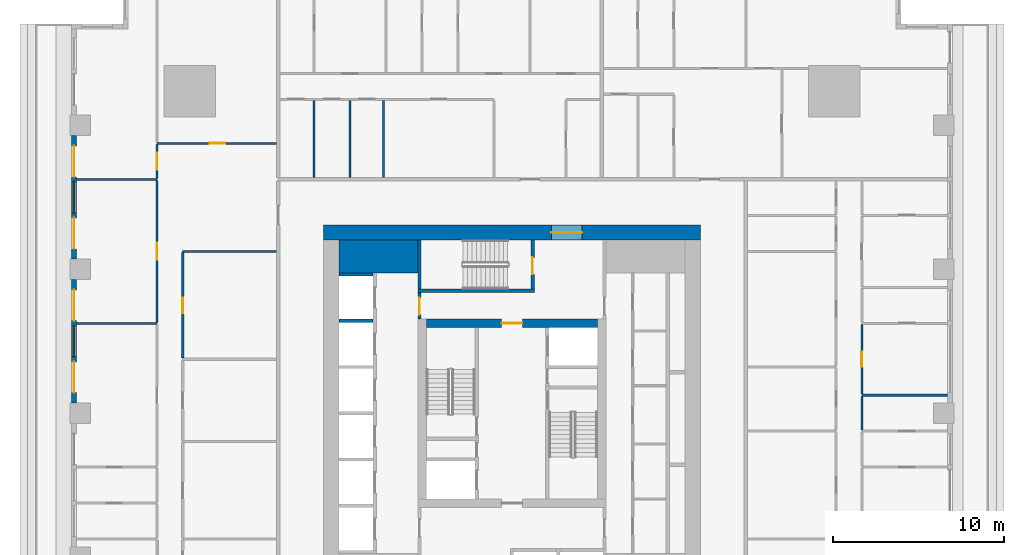
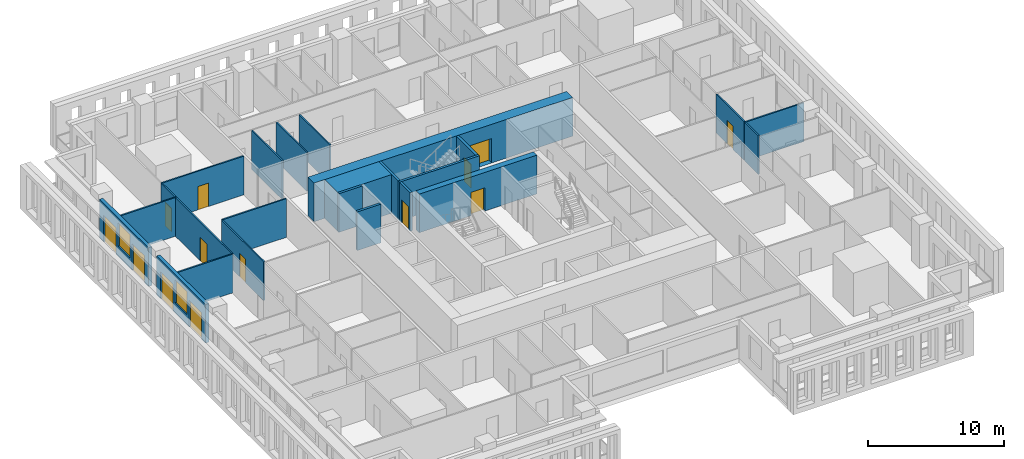
# One storey, part 6 of 15: 24 walls, 13 doors, 2 windows, 15 openings.
"""IFC4 building model written with IfcOpenShell, lengths in metres."""

import ifcopenshell
import ifcopenshell.guid

model = None  # the IFC model being written
_history = None  # IfcOwnerHistory: only IFC2X3 demands one
_inside = {}  # id of a spatial element -> (the spatial element, [elements in it])
_under = {}  # id of a project, library or spatial element -> (it, [spatial elements below it])
_declared = {}  # id of a project -> (the project, [libraries it declares])
_typed = {}  # id of a type object -> (the type object, [elements of that type])
_made_of = {}  # id of a material, layer set ... -> (it, [elements and type objects made of it])


def new_model(schema):
    """Start an empty IFC model of exactly this schema.

    Asked for "IFC4X3", IfcOpenShell would pick the latest addendum, in which some entities
    have other attributes; the version numbers below select the first issue.
    IFC2X3 requires an IfcOwnerHistory on every rooted entity: one is made here for all.
    """
    global model, _history
    if schema == "IFC4X3":
        model = ifcopenshell.file(schema_version=(4, 3, 0, 0))
    else:
        model = ifcopenshell.file(schema=schema)
    _inside.clear()
    _under.clear()
    _declared.clear()
    _typed.clear()
    _made_of.clear()
    _history = None
    if model.schema == "IFC2X3":
        org = make("IfcOrganization", Name="unknown")
        user = make(
            "IfcPersonAndOrganization",
            ThePerson=make("IfcPerson", FamilyName="unknown"),
            TheOrganization=org,
        )
        app = make(
            "IfcApplication",
            ApplicationDeveloper=org,
            Version="unknown",
            ApplicationFullName="unknown",
            ApplicationIdentifier="unknown",
        )
        _history = make(
            "IfcOwnerHistory",
            OwningUser=user,
            OwningApplication=app,
            ChangeAction="ADDED",
            CreationDate=0,
        )
    return model


def make(cls, **values):
    """One entity of the class cls with the attributes given. An attribute that is None is left unset."""
    return model.create_entity(
        cls, **{name: value for name, value in values.items() if value is not None}
    )


def rooted(cls, **values):
    """An entity with a GlobalId (a new one), such as an element, a storey or a relation."""
    return make(cls, GlobalId=ifcopenshell.guid.new(), OwnerHistory=_history, **values)


def si_unit(unit_type, name, prefix=None):
    """IfcSIUnit, for example si_unit("LENGTHUNIT", "METRE", prefix="MILLI")."""
    return make("IfcSIUnit", UnitType=unit_type, Prefix=prefix, Name=name)


def assignment(units):
    """IfcUnitAssignment: the units of a project."""
    return None if units is None else make("IfcUnitAssignment", Units=units)


def point(xyz):
    """IfcCartesianPoint."""
    return None if xyz is None else make("IfcCartesianPoint", Coordinates=xyz)


def direction(xyz):
    """IfcDirection."""
    return None if xyz is None else make("IfcDirection", DirectionRatios=xyz)


def frame(location, z_axis=None, x_axis=None):
    """IfcAxis2Placement3D, a coordinate frame: its origin and axes. An axis left out is left unset."""
    return make(
        "IfcAxis2Placement3D",
        Location=point(location),
        Axis=direction(z_axis),
        RefDirection=direction(x_axis),
    )


def frame_2d(location, x_axis=None):
    """IfcAxis2Placement2D, a coordinate frame in the plane: its origin and x axis."""
    return make(
        "IfcAxis2Placement2D", Location=point(location), RefDirection=direction(x_axis)
    )


def origin():
    """The frame at (0, 0, 0) with its axes left unset."""
    return frame((0.0, 0.0, 0.0))


def place(relative_to, where):
    """IfcLocalPlacement: puts the frame where relative to a parent placement (None: the world)."""
    return make(
        "IfcLocalPlacement", PlacementRelTo=relative_to, RelativePlacement=where
    )


def context(
    kind, dimensions, precision=None, world=None, true_north=None, identifier=None
):
    """IfcGeometricRepresentationContext, for example the 3D "Model" context."""
    return make(
        "IfcGeometricRepresentationContext",
        ContextIdentifier=identifier,
        ContextType=kind,
        CoordinateSpaceDimension=dimensions,
        Precision=precision,
        WorldCoordinateSystem=world,
        TrueNorth=true_north,
    )


def subcontext(parent, identifier, kind, view, scale=None):
    """IfcGeometricRepresentationSubContext, for example "Body" below "Model"."""
    return make(
        "IfcGeometricRepresentationSubContext",
        ContextIdentifier=identifier,
        ContextType=kind,
        ParentContext=parent,
        TargetScale=scale,
        TargetView=view,
    )


def project(units=None, contexts=None):
    """IfcProject with its units and contexts."""
    return rooted(
        "IfcProject",
        Name="project",
        RepresentationContexts=contexts,
        UnitsInContext=assignment(units),
    )


def spatial(cls, under=None, at=None, **own):
    """A site, building, storey or space (cls), placed at a placement, below another one or the project."""
    s = rooted(cls, ObjectPlacement=at, **own)
    if under is not None:
        _under.setdefault(under.id(), (under, []))[1].append(s)
    return s


def profile(cls, at=None, kind="AREA", **sizes):
    """A parametric profile (cls). Its sizes go by their IFC names, for example OverallWidth=200.0."""
    return make(cls, ProfileType=kind, Position=at, **sizes)


def rectangle(**sizes):
    """IfcRectangleProfileDef."""
    return profile("IfcRectangleProfileDef", **sizes)


def extrude(swept, where, along, depth):
    """IfcExtrudedAreaSolid: the profile swept, set in the frame where, extruded along a direction by depth."""
    return make(
        "IfcExtrudedAreaSolid",
        SweptArea=swept,
        Position=where,
        ExtrudedDirection=direction(along),
        Depth=depth,
    )


def shape(context_of_items, identifier, shape_type, items):
    """IfcShapeRepresentation: the items that make up one representation, for example the "Body"."""
    return make(
        "IfcShapeRepresentation",
        ContextOfItems=context_of_items,
        RepresentationIdentifier=identifier,
        RepresentationType=shape_type,
        Items=items,
    )


def material(Name=None, Category=None):
    """IfcMaterial."""
    return make("IfcMaterial", Name=Name, Category=Category)


def layer(
    of_material, thickness, ventilated=None, Name=None, Category=None, Priority=None
):
    """IfcMaterialLayer: one layer of a wall or slab, of a material (None: an air gap)."""
    return make(
        "IfcMaterialLayer",
        Material=of_material,
        LayerThickness=thickness,
        IsVentilated=ventilated,
        Name=Name,
        Category=Category,
        Priority=Priority,
    )


def layer_set(layers, Name=None):
    """IfcMaterialLayerSet."""
    return make("IfcMaterialLayerSet", MaterialLayers=layers, LayerSetName=Name)


def made_of(thing, what):
    """Note that an element or type object is made of a material, layer set ...; save() writes the relation."""
    if what is not None:
        _made_of.setdefault(what.id(), (what, []))[1].append(thing)
    return thing


def type_object(cls, material=None, **own):
    """A type object (cls), such as IfcWallType, which elements share."""
    return made_of(rooted(cls, **own), material)


def element(
    cls,
    number,
    at=None,
    inside=None,
    cuts=None,
    type_object=None,
    material=None,
    context=None,
    identifier="Body",
    shape_type=None,
    held_by="IfcProductDefinitionShape",
    body=None,
    shapes=None,
    **own,
):
    """One element of the class cls, such as IfcWall. Its Tag is "e" and its number.

    at: its placement. inside: the storey or other place that contains it. cuts: it is an
    opening in that element (IfcRelVoidsElement). A single representation is given by context,
    identifier, shape_type and body (its items); several are given by shapes. held_by: the class
    of the entity that holds the representations. save() writes the other relations.
    """
    e = rooted(cls, Tag="e%d" % number, ObjectPlacement=at, **own)
    if body is not None:
        shapes = [shape(context, identifier, shape_type, body)]
    if shapes is not None:
        e.Representation = make(held_by, Representations=shapes)
    if inside is not None:
        _inside.setdefault(inside.id(), (inside, []))[1].append(e)
    if cuts is not None:
        rooted(
            "IfcRelVoidsElement", RelatingBuildingElement=cuts, RelatedOpeningElement=e
        )
    if type_object is not None:
        _typed.setdefault(type_object.id(), (type_object, []))[1].append(e)
    return made_of(e, material)


def fill(opening, filler):
    """IfcRelFillsElement: the door or window that sits in an opening."""
    return rooted(
        "IfcRelFillsElement",
        RelatingOpeningElement=opening,
        RelatedBuildingElement=filler,
    )


def aggregate(whole, parts):
    """IfcRelAggregates: a whole, such as a stair, and the parts it consists of."""
    return rooted("IfcRelAggregates", RelatingObject=whole, RelatedObjects=parts)


def save(model, path):
    """Write the relations noted so far, then the file.

    IfcRelAggregates (storeys below a building ...), IfcRelContainedInSpatialStructure (elements
    in a storey), IfcRelDefinesByType, IfcRelAssociatesMaterial and IfcRelDeclares: one each for
    every whole, place, type object, material and project.
    """
    for whole, parts in _under.values():
        aggregate(whole, parts)
    for where, things in _inside.values():
        rooted(
            "IfcRelContainedInSpatialStructure",
            RelatedElements=things,
            RelatingStructure=where,
        )
    for kind, things in _typed.values():
        rooted("IfcRelDefinesByType", RelatedObjects=things, RelatingType=kind)
    for what, things in _made_of.values():
        rooted("IfcRelAssociatesMaterial", RelatedObjects=things, RelatingMaterial=what)
    for by, libraries in _declared.values():
        rooted("IfcRelDeclares", RelatingContext=by, RelatedDefinitions=libraries)
    model.write(path)


model = new_model("IFC4")

# Units and contexts
model_context = context("Model", 3, precision=1e-05, world=origin(), true_north=direction((0.0, 1.0)))
body_context = subcontext(model_context, "Body", "Model", "MODEL_VIEW")
ifc_project = project(units=[si_unit("LENGTHUNIT", "METRE"), si_unit("AREAUNIT", "SQUARE_METRE"), si_unit("VOLUMEUNIT", "CUBIC_METRE"), si_unit("PLANEANGLEUNIT", "RADIAN"), si_unit("MASSUNIT", "GRAM", prefix="KILO")], contexts=[model_context])

# Site, building, storey
site_placement = place(None, origin())
site = spatial("IfcSite", under=ifc_project, at=site_placement, CompositionType="ELEMENT")
building_placement = place(site_placement, origin())
building = spatial("IfcBuilding", under=site, at=building_placement, Name="Khepri Terraces", CompositionType="ELEMENT")
storey_placement = place(building_placement, frame((0.0, 0.0, 46.5)))
storey = spatial("IfcBuildingStorey", under=building, at=storey_placement, Name="L10", CompositionType="ELEMENT", Elevation=46.5)

# Walls
ifc_material_1 = material(Name="Concrete C80/95", Category="concrete")
ifc_layer_1 = layer(ifc_material_1, 1.89990234375, Name="Concrete C80/95", Category="concrete")
ifc_layer_set_1 = layer_set([ifc_layer_1], Name="Concrete C80/95")
wall_type_1 = type_object("IfcWallType", Name="Core wall 1900 C80/95", PredefinedType="SHEAR", material=ifc_layer_set_1)
wall_1_placement = place(storey_placement, frame((-10.10009765625, 9.14990234375, 0.0), z_axis=(0.0, 0.0, 1.0), x_axis=(1.0, 0.0, 0.0)))
element("IfcWall", 1, at=wall_1_placement, inside=storey, type_object=wall_type_1, Name="Core wall PR03 L10", PredefinedType="SHEAR", context=body_context, shape_type="SweptSolid", body=[
    extrude(rectangle(XDim=4.60009765625, YDim=1.89990234375, at=frame_2d((2.300048828125, 0.0))), origin(), (0.0, 0.0, 1.0), 3.47998046875),
])
ifc_layer_2 = layer(ifc_material_1, 0.199951171875, Name="Concrete C80/95", Category="concrete")
ifc_layer_set_2 = layer_set([ifc_layer_2], Name="Concrete C80/95")
wall_type_2 = type_object("IfcWallType", Name="Core wall 200 C80/95", PredefinedType="SHEAR", material=ifc_layer_set_2)
wall_2_placement = place(storey_placement, frame((-5.5, 7.14990234375, 0.0), z_axis=(0.0, 0.0, 1.0), x_axis=(1.0, 0.0, 0.0)))
element("IfcWall", 2, at=wall_2_placement, inside=storey, type_object=wall_type_2, Name="Core wall ST05 L10", PredefinedType="SHEAR", context=body_context, shape_type="SweptSolid", body=[
    extrude(rectangle(XDim=6.800048828125, YDim=0.199951171875, at=frame_2d((3.39990234375, 0.0))), origin(), (0.0, 0.0, 1.0), 3.47998046875),
])
wall_3_placement = place(storey_placement, frame((-5.39990234375, 7.25, 0.0), z_axis=(0.0, 0.0, 1.0), x_axis=(0.0, 1.0, 0.0)))
element("IfcWall", 3, at=wall_3_placement, inside=storey, type_object=wall_type_2, Name="Core wall ST06 L10", PredefinedType="SHEAR", context=body_context, shape_type="SweptSolid", body=[
    extrude(rectangle(XDim=2.85009765625, YDim=0.199951171875, at=frame_2d((1.425048828125, 0.0))), origin(), (0.0, 0.0, 1.0), 3.47998046875),
])

# Wall, opening, door
wall_4_placement = place(storey_placement, frame((1.199951171875, 7.25, 0.0), z_axis=(0.0, 0.0, 1.0), x_axis=(0.0, 1.0, 0.0)))
wall_4 = element("IfcWall", 4, at=wall_4_placement, inside=storey, type_object=wall_type_2, Name="Core wall ST07 L10", PredefinedType="SHEAR", context=body_context, shape_type="SweptSolid", body=[
    extrude(rectangle(XDim=2.85009765625, YDim=0.199951171875, at=frame_2d((1.425048828125, 0.0))), origin(), (0.0, 0.0, 1.0), 3.47998046875),
])
opening_1_placement = place(wall_4_placement, frame((0.85009765625, 0.0, 0.0)))
opening_1 = element("IfcOpeningElement", 5, at=opening_1_placement, cuts=wall_4, Name="Opening L10-C15", PredefinedType="OPENING", context=body_context, shape_type="SweptSolid", body=[
    extrude(rectangle(XDim=1.0, YDim=2.10009765625, at=frame_2d((0.5, 1.050048828125))), frame((0.0, 0.10986328125, 0.0), z_axis=(0.0, -1.0, 0.0), x_axis=(1.0, 0.0, 0.0)), (0.0, 0.0, 1.0), 0.219970703125),
])
ifc_material_2 = material(Name="Painted steel", Category="steel")
door_type_1 = type_object("IfcDoorType", Name="DR-CORE-STAIR-1000", OperationType="NOTDEFINED", PredefinedType="DOOR", material=ifc_material_2)
door_1_placement = place(opening_1_placement, origin())
door_1 = element("IfcDoor", 6, at=door_1_placement, inside=storey, type_object=door_type_1, Name="Stair door L10-C15", OperationType="SINGLE_SWING_LEFT", OverallHeight=2.10009765625, OverallWidth=1.0, PredefinedType="DOOR", context=body_context, shape_type="SweptSolid", body=[
    extrude(rectangle(XDim=1.0, YDim=2.10009765625, at=frame_2d((0.5, 1.050048828125))), frame((0.0, 0.02490234375, 0.0), z_axis=(0.0, -1.0, 0.0), x_axis=(1.0, 0.0, 0.0)), (0.0, 0.0, 1.0), 0.050048828125),
])
fill(opening_1, door_1)

# Walls
for number, where, z_axis, x_axis, name in (
    (7, (-10.10009765625, 5.39990234375, 0.0), (0.0, 0.0, 1.0), (1.0, 0.0, 0.0), "Core wall SH19 L10"),
    (8, (-10.10009765625, 8.10009765625, 0.0), (0.0, 0.0, 1.0), (1.0, 0.0, 0.0), "Core wall SH20 L10"),
):
    element("IfcWall", number, at=place(storey_placement, frame(where, z_axis=z_axis, x_axis=x_axis)), inside=storey, type_object=wall_type_2, Name=name, PredefinedType="SHEAR", context=body_context, shape_type="SweptSolid", body=[
        extrude(rectangle(XDim=2.0, YDim=0.199951171875, at=frame_2d((1.0, 0.0))), origin(), (0.0, 0.0, 1.0), 3.47998046875),
    ])

# Wall, opening, door
ifc_layer_3 = layer(ifc_material_1, 0.5, Name="Concrete C80/95", Category="concrete")
ifc_layer_set_3 = layer_set([ifc_layer_3], Name="Concrete C80/95")
wall_type_3 = type_object("IfcWallType", Name="Core wall 500 C80/95", PredefinedType="SHEAR", material=ifc_layer_set_3)
wall_5_placement = place(storey_placement, frame((-5.0, 5.25, 0.0), z_axis=(0.0, 0.0, 1.0), x_axis=(1.0, 0.0, 0.0)))
wall_5 = element("IfcWall", 9, at=wall_5_placement, inside=storey, type_object=wall_type_3, Name="Core wall BX04 L10", PredefinedType="SHEAR", context=body_context, shape_type="SweptSolid", body=[
    extrude(rectangle(XDim=10.0, YDim=0.5, at=frame_2d((5.0, 0.0))), origin(), (0.0, 0.0, 1.0), 3.47998046875),
])
opening_2_placement = place(wall_5_placement, frame((4.39990234375, 0.0, 0.0)))
opening_2 = element("IfcOpeningElement", 10, at=opening_2_placement, cuts=wall_5, Name="Opening L10-C13", PredefinedType="OPENING", context=body_context, shape_type="SweptSolid", body=[
    extrude(rectangle(XDim=1.199951171875, YDim=2.10009765625, at=frame_2d((0.60009765625, 1.050048828125))), frame((0.0, 0.260009765625, 0.0), z_axis=(0.0, -1.0, 0.0), x_axis=(1.0, 0.0, 0.0)), (0.0, 0.0, 1.0), 0.52001953125),
])
door_type_2 = type_object("IfcDoorType", Name="DR-CORE-FF-LOBBY-1200", OperationType="NOTDEFINED", PredefinedType="DOOR", material=ifc_material_2)
door_2_placement = place(opening_2_placement, frame((1.199951171875, 0.0, 0.0), z_axis=(0.0, 0.0, 1.0), x_axis=(-1.0, 0.0, 0.0)))
door_2 = element("IfcDoor", 11, at=door_2_placement, inside=storey, type_object=door_type_2, Name="Firefighting lobby door L10-C13", OperationType="SINGLE_SWING_LEFT", OverallHeight=2.10009765625, OverallWidth=1.199951171875, PredefinedType="DOOR", context=body_context, shape_type="SweptSolid", body=[
    extrude(rectangle(XDim=1.199951171875, YDim=2.10009765625, at=frame_2d((0.60009765625, 1.050048828125))), frame((0.0, 0.02490234375, 0.0), z_axis=(0.0, -1.0, 0.0), x_axis=(1.0, 0.0, 0.0)), (0.0, 0.0, 1.0), 0.050048828125),
])
fill(opening_2, door_2)

ifc_layer_4 = layer(ifc_material_1, 0.89990234375, Name="Concrete C80/95", Category="concrete")
ifc_layer_set_4 = layer_set([ifc_layer_4], Name="Concrete C80/95")
wall_type_4 = type_object("IfcWallType", Name="Core wall 900 C80/95", PredefinedType="SHEAR", material=ifc_layer_set_4)
wall_6_placement = place(storey_placement, frame((-11.0, 10.550048828125, 0.0), z_axis=(0.0, 0.0, 1.0), x_axis=(1.0, 0.0, 0.0)))
wall_6 = element("IfcWall", 12, at=wall_6_placement, inside=storey, type_object=wall_type_4, Name="Core wall OW-N L10", PredefinedType="SHEAR", context=body_context, shape_type="SweptSolid", body=[
    extrude(rectangle(XDim=22.0, YDim=0.89990234375, at=frame_2d((11.0, 0.0))), origin(), (0.0, 0.0, 1.0), 3.47998046875),
])
opening_3_placement = place(wall_6_placement, frame((13.300048828125, 0.0, 0.0)))
opening_3 = element("IfcOpeningElement", 13, at=opening_3_placement, cuts=wall_6, Name="Opening L10-C20", PredefinedType="OPENING", context=body_context, shape_type="SweptSolid", body=[
    extrude(rectangle(XDim=1.800048828125, YDim=2.199951171875, at=frame_2d((0.89990234375, 1.10009765625))), frame((0.0, 0.4599609375, 0.0), z_axis=(0.0, -1.0, 0.0), x_axis=(1.0, 0.0, 0.0)), (0.0, 0.0, 1.0), 0.919921875),
])
door_type_3 = type_object("IfcDoorType", Name="DR-CORE-ENTRANCE-1800", OperationType="NOTDEFINED", PredefinedType="DOOR", material=ifc_material_2)
door_3_placement = place(opening_3_placement, origin())
door_3 = element("IfcDoor", 14, at=door_3_placement, inside=storey, type_object=door_type_3, Name="Core entrance door pair L10-C20", OperationType="DOUBLE_DOOR_SINGLE_SWING", OverallHeight=2.199951171875, OverallWidth=1.800048828125, PredefinedType="DOOR", context=body_context, shape_type="SweptSolid", body=[
    extrude(rectangle(XDim=1.800048828125, YDim=2.199951171875, at=frame_2d((0.89990234375, 1.10009765625))), frame((0.0, 0.02490234375, 0.0), z_axis=(0.0, -1.0, 0.0), x_axis=(1.0, 0.0, 0.0)), (0.0, 0.0, 1.0), 0.050048828125),
])
fill(opening_3, door_3)

ifc_material_3 = material(Name="Fire-rated gypsum board partition")
ifc_layer_5 = layer(ifc_material_3, 0.199951171875, Name="Fire-rated gypsum board partition")
ifc_layer_set_5 = layer_set([ifc_layer_5], Name="Fire-rated gypsum board partition")
wall_type_5 = type_object("IfcWallType", Name="WL-CORE-PART-200", PredefinedType="PARTITIONING", material=ifc_layer_set_5)
wall_7_placement = place(storey_placement, frame((-5.39990234375, 5.5, 0.0), z_axis=(0.0, 0.0, 1.0), x_axis=(0.0, 1.0, 0.0)))
wall_7 = element("IfcWall", 15, at=wall_7_placement, inside=storey, type_object=wall_type_5, Name="Core partition PT08 L10", PredefinedType="PARTITIONING", context=body_context, shape_type="SweptSolid", body=[
    extrude(rectangle(XDim=1.550048828125, YDim=0.199951171875, at=frame_2d((0.77490234375, 0.0))), origin(), (0.0, 0.0, 1.0), 3.47998046875),
])
opening_4_placement = place(wall_7_placement, frame((0.25, 0.0, 0.0)))
opening_4 = element("IfcOpeningElement", 16, at=opening_4_placement, cuts=wall_7, Name="Opening L10-C16", PredefinedType="OPENING", context=body_context, shape_type="SweptSolid", body=[
    extrude(rectangle(XDim=1.0, YDim=2.10009765625, at=frame_2d((0.5, 1.050048828125))), frame((0.0, 0.10986328125, 0.0), z_axis=(0.0, -1.0, 0.0), x_axis=(1.0, 0.0, 0.0)), (0.0, 0.0, 1.0), 0.219970703125),
])
door_type_4 = type_object("IfcDoorType", Name="DR-CORE-LOBBY-1000", OperationType="NOTDEFINED", PredefinedType="DOOR", material=ifc_material_2)
door_4_placement = place(opening_4_placement, frame((1.0, 0.0, 0.0), z_axis=(0.0, 0.0, 1.0), x_axis=(-1.0, 0.0, 0.0)))
door_4 = element("IfcDoor", 17, at=door_4_placement, inside=storey, type_object=door_type_4, Name="Lobby door L10-C16", OperationType="SINGLE_SWING_RIGHT", OverallHeight=2.10009765625, OverallWidth=1.0, PredefinedType="DOOR", context=body_context, shape_type="SweptSolid", body=[
    extrude(rectangle(XDim=1.0, YDim=2.10009765625, at=frame_2d((0.5, 1.050048828125))), frame((0.0, 0.02490234375, 0.0), z_axis=(0.0, -1.0, 0.0), x_axis=(1.0, 0.0, 0.0)), (0.0, 0.0, 1.0), 0.050048828125),
])
fill(opening_4, door_4)

# Wall, openings, doors, window
ifc_material_4 = material(Name="Precast concrete C50/60 warm stone", Category="masonry")
ifc_layer_6 = layer(ifc_material_4, 0.300048828125, Name="Precast concrete C50/60 warm stone", Category="masonry")
ifc_layer_set_6 = layer_set([ifc_layer_6], Name="Precast concrete C50/60 warm stone")
wall_type_6 = type_object("IfcWallType", Name="WL-EXT-PRECAST-300", PredefinedType="STANDARD", material=ifc_layer_set_6)
wall_8_placement = place(storey_placement, frame((-25.570068359375, 16.199951171875, 0.0), z_axis=(0.0, 0.0, 1.0), x_axis=(0.0, -1.0, 0.0)))
wall_8 = element("IfcWall", 18, at=wall_8_placement, inside=storey, type_object=wall_type_6, Name="External wall L10 W", PredefinedType="STANDARD", context=body_context, shape_type="SweptSolid", body=[
    extrude(rectangle(XDim=7.199951171875, YDim=0.300048828125, at=frame_2d((3.60009765625, 0.0))), origin(), (0.0, 0.0, 1.0), 3.47998046875),
])
opening_5_placement = place(wall_8_placement, frame((0.60009765625, 0.0, 0.0)))
opening_5 = element("IfcOpeningElement", 19, at=opening_5_placement, cuts=wall_8, Name="Opening ED-L10-13", PredefinedType="OPENING", context=body_context, shape_type="SweptSolid", body=[
    extrude(rectangle(XDim=1.800048828125, YDim=2.39990234375, at=frame_2d((0.89990234375, 1.199951171875))), frame((0.0, 0.16015625, 0.0), z_axis=(0.0, -1.0, 0.0), x_axis=(1.0, 0.0, 0.0)), (0.0, 0.0, 1.0), 0.320068359375),
])
opening_6_placement = place(wall_8_placement, frame((2.699951171875, 0.0, 0.89990234375)))
opening_6 = element("IfcOpeningElement", 20, at=opening_6_placement, cuts=wall_8, Name="Opening W1", PredefinedType="OPENING", context=body_context, shape_type="SweptSolid", body=[
    extrude(rectangle(XDim=1.800048828125, YDim=2.10009765625, at=frame_2d((0.89990234375, 1.050048828125))), frame((0.0, 0.16015625, 0.0), z_axis=(0.0, -1.0, 0.0), x_axis=(1.0, 0.0, 0.0)), (0.0, 0.0, 1.0), 0.320068359375),
])
opening_7_placement = place(wall_8_placement, frame((4.800048828125, 0.0, 0.0)))
opening_7 = element("IfcOpeningElement", 21, at=opening_7_placement, cuts=wall_8, Name="Opening ED-L10-14", PredefinedType="OPENING", context=body_context, shape_type="SweptSolid", body=[
    extrude(rectangle(XDim=1.800048828125, YDim=2.39990234375, at=frame_2d((0.89990234375, 1.199951171875))), frame((0.0, 0.16015625, 0.0), z_axis=(0.0, -1.0, 0.0), x_axis=(1.0, 0.0, 0.0)), (0.0, 0.0, 1.0), 0.320068359375),
])
ifc_material_5 = material(Name="Anodised aluminium bronze glazed door", Category="aluminium")
door_type_5 = type_object("IfcDoorType", Name="DR-BAL-SLIDE-1800x2400", OperationType="NOTDEFINED", PredefinedType="DOOR", material=ifc_material_5)
door_5_placement = place(opening_5_placement, origin())
door_5 = element("IfcDoor", 22, at=door_5_placement, inside=storey, type_object=door_type_5, Name="Balcony door L10 W", OperationType="SLIDING_TO_LEFT", OverallHeight=2.39990234375, OverallWidth=1.800048828125, PredefinedType="DOOR", context=body_context, shape_type="SweptSolid", body=[
    extrude(rectangle(XDim=1.800048828125, YDim=2.39990234375, at=frame_2d((0.89990234375, 1.199951171875))), frame((0.0, 0.02490234375, 0.0), z_axis=(0.0, -1.0, 0.0), x_axis=(1.0, 0.0, 0.0)), (0.0, 0.0, 1.0), 0.050048828125),
])
fill(opening_5, door_5)
door_6_placement = place(opening_7_placement, origin())
door_6 = element("IfcDoor", 23, at=door_6_placement, inside=storey, type_object=door_type_5, Name="Balcony door L10 W", OperationType="SLIDING_TO_RIGHT", OverallHeight=2.39990234375, OverallWidth=1.800048828125, PredefinedType="DOOR", context=body_context, shape_type="SweptSolid", body=[
    extrude(rectangle(XDim=1.800048828125, YDim=2.39990234375, at=frame_2d((0.89990234375, 1.199951171875))), frame((0.0, 0.02490234375, 0.0), z_axis=(0.0, -1.0, 0.0), x_axis=(1.0, 0.0, 0.0)), (0.0, 0.0, 1.0), 0.050048828125),
])
fill(opening_7, door_6)
ifc_material_6 = material(Name="Clear glass", Category="glass")
window_type = type_object("IfcWindowType", Name="WIN-RES-1800x2100", PartitioningType="SINGLE_PANEL", PredefinedType="WINDOW", material=ifc_material_6)
window_1_placement = place(opening_6_placement, origin())
window_1 = element("IfcWindow", 24, at=window_1_placement, inside=storey, type_object=window_type, Name="Window L10 W", OverallHeight=2.10009765625, OverallWidth=1.800048828125, PartitioningType="SINGLE_PANEL", PredefinedType="WINDOW", context=body_context, shape_type="SweptSolid", body=[
    extrude(rectangle(XDim=1.800048828125, YDim=2.10009765625, at=frame_2d((0.89990234375, 1.050048828125))), frame((0.0, 0.030029296875, 0.0), z_axis=(0.0, -1.0, 0.0), x_axis=(1.0, 0.0, 0.0)), (0.0, 0.0, 1.0), 0.06005859375),
])
fill(opening_6, window_1)

wall_9_placement = place(storey_placement, frame((-25.570068359375, 7.800048828125, 0.0), z_axis=(0.0, 0.0, 1.0), x_axis=(0.0, -1.0, 0.0)))
wall_9 = element("IfcWall", 25, at=wall_9_placement, inside=storey, type_object=wall_type_6, Name="External wall L10 W", PredefinedType="STANDARD", context=body_context, shape_type="SweptSolid", body=[
    extrude(rectangle(XDim=7.199951171875, YDim=0.300048828125, at=frame_2d((3.60009765625, 0.0))), origin(), (0.0, 0.0, 1.0), 3.47998046875),
])
opening_8_placement = place(wall_9_placement, frame((0.60009765625, 0.0, 0.0)))
opening_8 = element("IfcOpeningElement", 26, at=opening_8_placement, cuts=wall_9, Name="Opening ED-L10-15", PredefinedType="OPENING", context=body_context, shape_type="SweptSolid", body=[
    extrude(rectangle(XDim=1.800048828125, YDim=2.39990234375, at=frame_2d((0.89990234375, 1.199951171875))), frame((0.0, 0.16015625, 0.0), z_axis=(0.0, -1.0, 0.0), x_axis=(1.0, 0.0, 0.0)), (0.0, 0.0, 1.0), 0.320068359375),
])
opening_9_placement = place(wall_9_placement, frame((2.699951171875, 0.0, 0.89990234375)))
opening_9 = element("IfcOpeningElement", 27, at=opening_9_placement, cuts=wall_9, Name="Opening W1", PredefinedType="OPENING", context=body_context, shape_type="SweptSolid", body=[
    extrude(rectangle(XDim=1.800048828125, YDim=2.10009765625, at=frame_2d((0.89990234375, 1.050048828125))), frame((0.0, 0.16015625, 0.0), z_axis=(0.0, -1.0, 0.0), x_axis=(1.0, 0.0, 0.0)), (0.0, 0.0, 1.0), 0.320068359375),
])
opening_10_placement = place(wall_9_placement, frame((4.800048828125, 0.0, 0.0)))
opening_10 = element("IfcOpeningElement", 28, at=opening_10_placement, cuts=wall_9, Name="Opening ED-L10-16", PredefinedType="OPENING", context=body_context, shape_type="SweptSolid", body=[
    extrude(rectangle(XDim=1.800048828125, YDim=2.39990234375, at=frame_2d((0.89990234375, 1.199951171875))), frame((0.0, 0.16015625, 0.0), z_axis=(0.0, -1.0, 0.0), x_axis=(1.0, 0.0, 0.0)), (0.0, 0.0, 1.0), 0.320068359375),
])
door_7_placement = place(opening_8_placement, origin())
door_7 = element("IfcDoor", 29, at=door_7_placement, inside=storey, type_object=door_type_5, Name="Balcony door L10 W", OperationType="SLIDING_TO_LEFT", OverallHeight=2.39990234375, OverallWidth=1.800048828125, PredefinedType="DOOR", context=body_context, shape_type="SweptSolid", body=[
    extrude(rectangle(XDim=1.800048828125, YDim=2.39990234375, at=frame_2d((0.89990234375, 1.199951171875))), frame((0.0, 0.02490234375, 0.0), z_axis=(0.0, -1.0, 0.0), x_axis=(1.0, 0.0, 0.0)), (0.0, 0.0, 1.0), 0.050048828125),
])
fill(opening_8, door_7)
door_8_placement = place(opening_10_placement, origin())
door_8 = element("IfcDoor", 30, at=door_8_placement, inside=storey, type_object=door_type_5, Name="Balcony door L10 W", OperationType="SLIDING_TO_RIGHT", OverallHeight=2.39990234375, OverallWidth=1.800048828125, PredefinedType="DOOR", context=body_context, shape_type="SweptSolid", body=[
    extrude(rectangle(XDim=1.800048828125, YDim=2.39990234375, at=frame_2d((0.89990234375, 1.199951171875))), frame((0.0, 0.02490234375, 0.0), z_axis=(0.0, -1.0, 0.0), x_axis=(1.0, 0.0, 0.0)), (0.0, 0.0, 1.0), 0.050048828125),
])
fill(opening_10, door_8)
window_2_placement = place(opening_9_placement, origin())
window_2 = element("IfcWindow", 31, at=window_2_placement, inside=storey, type_object=window_type, Name="Window L10 W", OverallHeight=2.10009765625, OverallWidth=1.800048828125, PartitioningType="SINGLE_PANEL", PredefinedType="WINDOW", context=body_context, shape_type="SweptSolid", body=[
    extrude(rectangle(XDim=1.800048828125, YDim=2.10009765625, at=frame_2d((0.89990234375, 1.050048828125))), frame((0.0, 0.030029296875, 0.0), z_axis=(0.0, -1.0, 0.0), x_axis=(1.0, 0.0, 0.0)), (0.0, 0.0, 1.0), 0.06005859375),
])
fill(opening_9, window_2)

# Walls
ifc_material_7 = material(Name="Gypsum plasterboard partition")
ifc_layer_7 = layer(ifc_material_7, 0.1201171875, Name="Gypsum plasterboard partition")
ifc_layer_set_7 = layer_set([ifc_layer_7], Name="Gypsum plasterboard partition")
wall_type_7 = type_object("IfcWallType", Name="WL-PART-120", PredefinedType="PARTITIONING", material=ifc_layer_set_7)
wall_10_placement = place(storey_placement, frame((20.419921875, -0.989990234375, 0.0), z_axis=(0.0, 0.0, 1.0), x_axis=(0.0, 1.0, 0.0)))
element("IfcWall", 32, at=wall_10_placement, inside=storey, type_object=wall_type_7, Name="Partition P-048 L10", PredefinedType="PARTITIONING", context=body_context, shape_type="SweptSolid", body=[
    extrude(rectangle(XDim=1.97998046875, YDim=0.1201171875, at=frame_2d((0.989990234375, 0.0))), origin(), (0.0, 0.0, 1.0), 3.47998046875),
])
wall_11_placement = place(storey_placement, frame((20.419921875, 1.050048828125, 0.0), z_axis=(0.0, 0.0, 1.0), x_axis=(1.0, 0.0, 0.0)))
element("IfcWall", 33, at=wall_11_placement, inside=storey, type_object=wall_type_7, Name="Partition P-049 L10", PredefinedType="PARTITIONING", context=body_context, shape_type="SweptSolid", body=[
    extrude(rectangle(XDim=5.0, YDim=0.1201171875, at=frame_2d((2.5, 0.0))), origin(), (0.0, 0.0, 1.0), 3.47998046875),
])

# Wall, opening, door
wall_12_placement = place(storey_placement, frame((20.419921875, 1.110107421875, 0.0), z_axis=(0.0, 0.0, 1.0), x_axis=(0.0, 1.0, 0.0)))
wall_12 = element("IfcWall", 34, at=wall_12_placement, inside=storey, type_object=wall_type_7, Name="Partition P-050 L10", PredefinedType="PARTITIONING", context=body_context, shape_type="SweptSolid", body=[
    extrude(rectangle(XDim=4.079833984375, YDim=0.1201171875, at=frame_2d((2.0400390625, 0.0))), origin(), (0.0, 0.0, 1.0), 3.47998046875),
])
opening_11_placement = place(wall_12_placement, frame((1.590087890625, 0.0, 0.0)))
opening_11 = element("IfcOpeningElement", 35, at=opening_11_placement, cuts=wall_12, Name="Opening D3", PredefinedType="OPENING", context=body_context, shape_type="SweptSolid", body=[
    extrude(rectangle(XDim=0.89990234375, YDim=2.10009765625, at=frame_2d((0.449951171875, 1.050048828125))), frame((0.0, 0.070068359375, 0.0), z_axis=(0.0, -1.0, 0.0), x_axis=(1.0, 0.0, 0.0)), (0.0, 0.0, 1.0), 0.14013671875),
])
ifc_material_8 = material(Name="Timber door leaf", Category="wood")
door_type_6 = type_object("IfcDoorType", Name="DR-INT-900", OperationType="NOTDEFINED", PredefinedType="DOOR", material=ifc_material_8)
door_9_placement = place(opening_11_placement, frame((0.89990234375, 0.0, 0.0), z_axis=(0.0, 0.0, 1.0), x_axis=(-1.0, 0.0, 0.0)))
door_9 = element("IfcDoor", 36, at=door_9_placement, inside=storey, type_object=door_type_6, Name="Door Bedroom", OperationType="SINGLE_SWING_LEFT", OverallHeight=2.10009765625, OverallWidth=0.89990234375, PredefinedType="DOOR", context=body_context, shape_type="SweptSolid", body=[
    extrude(rectangle(XDim=0.89990234375, YDim=2.10009765625, at=frame_2d((0.449951171875, 1.050048828125))), frame((0.0, 0.02490234375, 0.0), z_axis=(0.0, -1.0, 0.0), x_axis=(1.0, 0.0, 0.0)), (0.0, 0.0, 1.0), 0.050048828125),
])
fill(opening_11, door_9)

wall_13_placement = place(storey_placement, frame((-19.219970703125, 3.2099609375, 0.0), z_axis=(0.0, 0.0, 1.0), x_axis=(0.0, 1.0, 0.0)))
wall_13 = element("IfcWall", 37, at=wall_13_placement, inside=storey, type_object=wall_type_7, Name="Partition P-054 L10", PredefinedType="PARTITIONING", context=body_context, shape_type="SweptSolid", body=[
    extrude(rectangle(XDim=6.179931640625, YDim=0.1201171875, at=frame_2d((3.08984375, 0.0))), origin(), (0.0, 0.0, 1.0), 3.47998046875),
])
opening_12_placement = place(wall_13_placement, frame((2.639892578125, 0.0, 0.0)))
opening_12 = element("IfcOpeningElement", 38, at=opening_12_placement, cuts=wall_13, Name="Opening D3", PredefinedType="OPENING", context=body_context, shape_type="SweptSolid", body=[
    extrude(rectangle(XDim=0.89990234375, YDim=2.10009765625, at=frame_2d((0.449951171875, 1.050048828125))), frame((0.0, 0.070068359375, 0.0), z_axis=(0.0, -1.0, 0.0), x_axis=(1.0, 0.0, 0.0)), (0.0, 0.0, 1.0), 0.14013671875),
])
door_10_placement = place(opening_12_placement, frame((0.89990234375, 0.0, 0.0), z_axis=(0.0, 0.0, 1.0), x_axis=(-1.0, 0.0, 0.0)))
door_10 = element("IfcDoor", 39, at=door_10_placement, inside=storey, type_object=door_type_6, Name="Door Kitchen", OperationType="SINGLE_SWING_RIGHT", OverallHeight=2.10009765625, OverallWidth=0.89990234375, PredefinedType="DOOR", context=body_context, shape_type="SweptSolid", body=[
    extrude(rectangle(XDim=0.89990234375, YDim=2.10009765625, at=frame_2d((0.449951171875, 1.050048828125))), frame((0.0, 0.02490234375, 0.0), z_axis=(0.0, -1.0, 0.0), x_axis=(1.0, 0.0, 0.0)), (0.0, 0.0, 1.0), 0.050048828125),
])
fill(opening_12, door_10)

# Wall
wall_14_placement = place(storey_placement, frame((-25.419921875, 5.25, 0.0), z_axis=(0.0, 0.0, 1.0), x_axis=(1.0, 0.0, 0.0)))
element("IfcWall", 40, at=wall_14_placement, inside=storey, type_object=wall_type_7, Name="Partition P-055 L10", PredefinedType="PARTITIONING", context=body_context, shape_type="SweptSolid", body=[
    extrude(rectangle(XDim=4.699951171875, YDim=0.1201171875, at=frame_2d((2.35009765625, 0.0))), origin(), (0.0, 0.0, 1.0), 3.47998046875),
])

# Wall, opening, door
wall_15_placement = place(storey_placement, frame((-20.719970703125, 5.31005859375, 0.0), z_axis=(0.0, 0.0, 1.0), x_axis=(0.0, 1.0, 0.0)))
wall_15 = element("IfcWall", 41, at=wall_15_placement, inside=storey, type_object=wall_type_7, Name="Partition P-057 L10", PredefinedType="PARTITIONING", context=body_context, shape_type="SweptSolid", body=[
    extrude(rectangle(XDim=8.280029296875, YDim=0.1201171875, at=frame_2d((4.14013671875, 0.0))), origin(), (0.0, 0.0, 1.0), 3.47998046875),
])
opening_13_placement = place(wall_15_placement, frame((3.639892578125, 0.0, 0.0)))
opening_13 = element("IfcOpeningElement", 42, at=opening_13_placement, cuts=wall_15, Name="Opening D2", PredefinedType="OPENING", context=body_context, shape_type="SweptSolid", body=[
    extrude(rectangle(XDim=1.0, YDim=2.10009765625, at=frame_2d((0.5, 1.050048828125))), frame((0.0, 0.070068359375, 0.0), z_axis=(0.0, -1.0, 0.0), x_axis=(1.0, 0.0, 0.0)), (0.0, 0.0, 1.0), 0.14013671875),
])
ifc_material_9 = material(Name="Timber door leaf, living room door", Category="wood")
door_type_7 = type_object("IfcDoorType", Name="DR-INT-1000", OperationType="NOTDEFINED", PredefinedType="DOOR", material=ifc_material_9)
door_11_placement = place(opening_13_placement, origin())
door_11 = element("IfcDoor", 43, at=door_11_placement, inside=storey, type_object=door_type_7, Name="Door Family Room", OperationType="SINGLE_SWING_LEFT", OverallHeight=2.10009765625, OverallWidth=1.0, PredefinedType="DOOR", context=body_context, shape_type="SweptSolid", body=[
    extrude(rectangle(XDim=1.0, YDim=2.10009765625, at=frame_2d((0.5, 1.050048828125))), frame((0.0, 0.02490234375, 0.0), z_axis=(0.0, -1.0, 0.0), x_axis=(1.0, 0.0, 0.0)), (0.0, 0.0, 1.0), 0.050048828125),
])
fill(opening_13, door_11)

# Walls
wall_16_placement = place(storey_placement, frame((-19.219970703125, 9.449951171875, 0.0), z_axis=(0.0, 0.0, 1.0), x_axis=(1.0, 0.0, 0.0)))
element("IfcWall", 44, at=wall_16_placement, inside=storey, type_object=wall_type_7, Name="Partition P-061 L10", PredefinedType="PARTITIONING", context=body_context, shape_type="SweptSolid", body=[
    extrude(rectangle(XDim=5.469970703125, YDim=0.1201171875, at=frame_2d((2.73486328125, 0.0))), origin(), (0.0, 0.0, 1.0), 3.47998046875),
])
wall_17_placement = place(storey_placement, frame((-25.419921875, 13.64990234375, 0.0), z_axis=(0.0, 0.0, 1.0), x_axis=(1.0, 0.0, 0.0)))
element("IfcWall", 45, at=wall_17_placement, inside=storey, type_object=wall_type_7, Name="Partition P-068 L10", PredefinedType="PARTITIONING", context=body_context, shape_type="SweptSolid", body=[
    extrude(rectangle(XDim=4.699951171875, YDim=0.1201171875, at=frame_2d((2.35009765625, 0.0))), origin(), (0.0, 0.0, 1.0), 3.47998046875),
])

# Wall, opening, door
wall_18_placement = place(storey_placement, frame((-20.719970703125, 13.7099609375, 0.0), z_axis=(0.0, 0.0, 1.0), x_axis=(0.0, 1.0, 0.0)))
wall_18 = element("IfcWall", 46, at=wall_18_placement, inside=storey, type_object=wall_type_7, Name="Partition P-070 L10", PredefinedType="PARTITIONING", context=body_context, shape_type="SweptSolid", body=[
    extrude(rectangle(XDim=1.97998046875, YDim=0.1201171875, at=frame_2d((0.989990234375, 0.0))), origin(), (0.0, 0.0, 1.0), 3.47998046875),
])
opening_14_placement = place(wall_18_placement, frame((0.489990234375, 0.0, 0.0)))
opening_14 = element("IfcOpeningElement", 47, at=opening_14_placement, cuts=wall_18, Name="Opening D2", PredefinedType="OPENING", context=body_context, shape_type="SweptSolid", body=[
    extrude(rectangle(XDim=1.0, YDim=2.10009765625, at=frame_2d((0.5, 1.050048828125))), frame((0.0, 0.070068359375, 0.0), z_axis=(0.0, -1.0, 0.0), x_axis=(1.0, 0.0, 0.0)), (0.0, 0.0, 1.0), 0.14013671875),
])
door_12_placement = place(opening_14_placement, origin())
door_12 = element("IfcDoor", 48, at=door_12_placement, inside=storey, type_object=door_type_7, Name="Door Living Room", OperationType="SINGLE_SWING_LEFT", OverallHeight=2.10009765625, OverallWidth=1.0, PredefinedType="DOOR", context=body_context, shape_type="SweptSolid", body=[
    extrude(rectangle(XDim=1.0, YDim=2.10009765625, at=frame_2d((0.5, 1.050048828125))), frame((0.0, 0.02490234375, 0.0), z_axis=(0.0, -1.0, 0.0), x_axis=(1.0, 0.0, 0.0)), (0.0, 0.0, 1.0), 0.050048828125),
])
fill(opening_14, door_12)

# Walls
for number, where, z_axis, x_axis, name in (
    (49, (-11.550048828125, 13.75, 0.0), (0.0, 0.0, 1.0), (0.0, 1.0, 0.0), "Partition P-072 L10"),
    (50, (-9.449951171875, 13.75, 0.0), (0.0, 0.0, 1.0), (0.0, 1.0, 0.0), "Partition P-073 L10"),
    (51, (-7.5, 13.75, 0.0), (0.0, 0.0, 1.0), (0.0, 1.0, 0.0), "Partition P-074 L10"),
):
    element("IfcWall", number, at=place(storey_placement, frame(where, z_axis=z_axis, x_axis=x_axis)), inside=storey, type_object=wall_type_7, Name=name, PredefinedType="PARTITIONING", context=body_context, shape_type="SweptSolid", body=[
        extrude(rectangle(XDim=4.510009765625, YDim=0.1201171875, at=frame_2d((2.2548828125, 0.0))), origin(), (0.0, 0.0, 1.0), 3.47998046875),
    ])

# Wall, opening, door
wall_19_placement = place(storey_placement, frame((-20.719970703125, 15.75, 0.0), z_axis=(0.0, 0.0, 1.0), x_axis=(1.0, 0.0, 0.0)))
wall_19 = element("IfcWall", 52, at=wall_19_placement, inside=storey, type_object=wall_type_7, Name="Partition P-081 L10", PredefinedType="PARTITIONING", context=body_context, shape_type="SweptSolid", body=[
    extrude(rectangle(XDim=6.969970703125, YDim=0.1201171875, at=frame_2d((3.48486328125, 0.0))), origin(), (0.0, 0.0, 1.0), 3.47998046875),
])
opening_15_placement = place(wall_19_placement, frame((3.0849609375, 0.0, 0.0)))
opening_15 = element("IfcOpeningElement", 53, at=opening_15_placement, cuts=wall_19, Name="Opening D3", PredefinedType="OPENING", context=body_context, shape_type="SweptSolid", body=[
    extrude(rectangle(XDim=0.89990234375, YDim=2.10009765625, at=frame_2d((0.449951171875, 1.050048828125))), frame((0.0, 0.070068359375, 0.0), z_axis=(0.0, -1.0, 0.0), x_axis=(1.0, 0.0, 0.0)), (0.0, 0.0, 1.0), 0.14013671875),
])
door_13_placement = place(opening_15_placement, origin())
door_13 = element("IfcDoor", 54, at=door_13_placement, inside=storey, type_object=door_type_6, Name="Door Home Gym", OperationType="SINGLE_SWING_RIGHT", OverallHeight=2.10009765625, OverallWidth=0.89990234375, PredefinedType="DOOR", context=body_context, shape_type="SweptSolid", body=[
    extrude(rectangle(XDim=0.89990234375, YDim=2.10009765625, at=frame_2d((0.449951171875, 1.050048828125))), frame((0.0, 0.02490234375, 0.0), z_axis=(0.0, -1.0, 0.0), x_axis=(1.0, 0.0, 0.0)), (0.0, 0.0, 1.0), 0.050048828125),
])
fill(opening_15, door_13)

save(model, "model.ifc")
